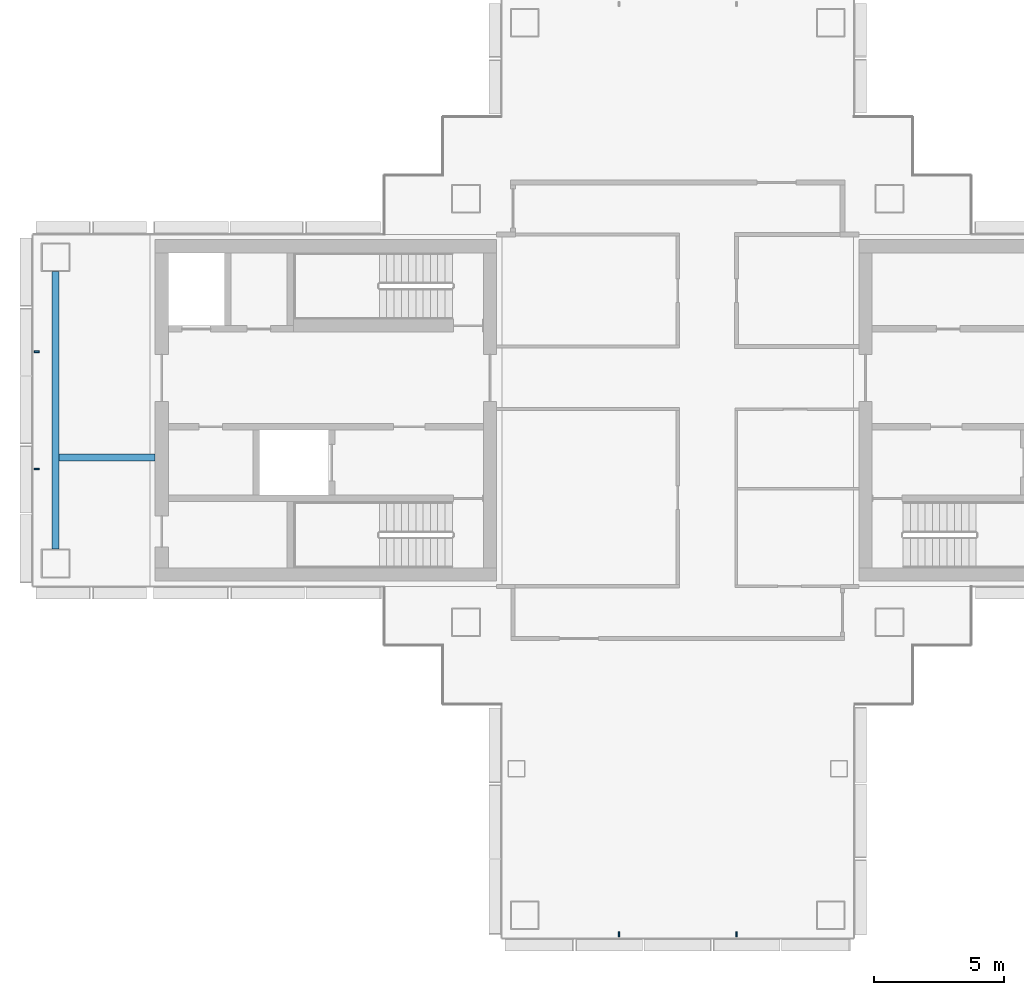
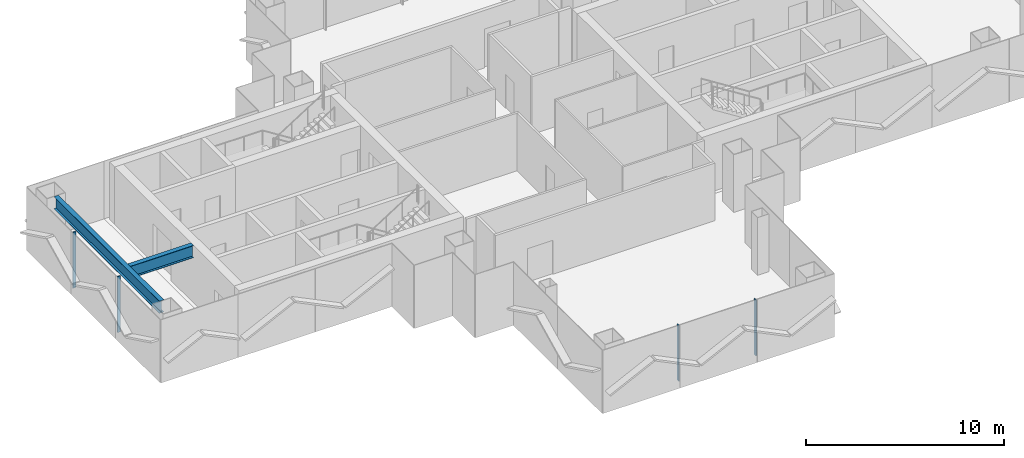
# One storey, part 3 of 16: 4 members, 2 beams, 2 elements without a shape of their own.
"""IFC4 building model written with IfcOpenShell, lengths in metres."""

from ifc_helpers import new_model, si_unit, direction, frame, origin, origin_2d, place, context, subcontext, project, spatial, rectangle, i_section, extrude, material, layer, layer_set, material_profile, profile_set, type_object, element, aggregate, save


model = new_model("IFC4")

# Units and contexts
model_context = context("Model", 3, precision=1e-05, world=origin(), true_north=direction((0.0, 1.0)))
body_context = subcontext(model_context, "Body", "Model", "MODEL_VIEW")
ifc_project = project(units=[si_unit("LENGTHUNIT", "METRE"), si_unit("AREAUNIT", "SQUARE_METRE"), si_unit("VOLUMEUNIT", "CUBIC_METRE"), si_unit("PLANEANGLEUNIT", "RADIAN"), si_unit("MASSUNIT", "GRAM", prefix="KILO")], contexts=[model_context])

# Site, building, storey
site_placement = place(None, origin())
site = spatial("IfcSite", under=ifc_project, at=site_placement, CompositionType="ELEMENT")
building_placement = place(site_placement, origin())
building = spatial("IfcBuilding", under=site, at=building_placement, Name="Shamsa Quay Exchange Towers", CompositionType="ELEMENT")
storey_placement = place(building_placement, frame((0.0, 0.0, 146.699951171875)))
storey = spatial("IfcBuildingStorey", under=building, at=storey_placement, Name="L34", CompositionType="ELEMENT", Elevation=146.699951171875)

# Curtain wall, members
ifc_material_1 = material(Name="Aluminium EN AW-6063 T6, black anodised", Category="aluminium")
ifc_layer = layer(ifc_material_1, 0.280029296875)
ifc_layer_set = layer_set([ifc_layer], Name="CW-1 UNITISED VISION GLASS")
curtain_wall_type = type_object("IfcCurtainWallType", Name="CW-1 UNITISED VISION GLASS", PredefinedType="NOTDEFINED", material=ifc_layer_set)
curtain_wall_1_placement = place(storey_placement, origin())
curtain_wall_1 = element("IfcCurtainWall", 1, at=curtain_wall_1_placement, inside=storey, type_object=curtain_wall_type, Name="CW1 T1-END-V- L34", PredefinedType="NOTDEFINED")
ifc_material_profile_1 = material_profile(ifc_material_1, rectangle(XDim=0.179931640625, YDim=0.06005859375, at=origin_2d()), Name="MU60x180")
ifc_profile_set_1 = profile_set([ifc_material_profile_1], Name="Aluminium EN AW-6063 T6, black anodised")
member_type = type_object("IfcMemberType", Name="CW1 MULLION 60x180", PredefinedType="MULLION", material=ifc_profile_set_1)
member_1_placement = place(storey_placement, frame((-36.0, -20.10009765625, 0.0), z_axis=(0.0, 0.0, 1.0), x_axis=(0.0, 1.0, 0.0)))
member_1 = element("IfcMember", 2, at=member_1_placement, type_object=member_type, Name="CW1 mullion", PredefinedType="MULLION", context=body_context, shape_type="SweptSolid", body=[
    extrude(rectangle(XDim=0.179931640625, YDim=0.06005859375, at=origin_2d()), origin(), (0.0, 0.0, 1.0), 3.449951171875),
])
member_2_placement = place(storey_placement, frame((-31.5, -20.10009765625, 0.0), z_axis=(0.0, 0.0, 1.0), x_axis=(0.0, 1.0, 0.0)))
member_2 = element("IfcMember", 3, at=member_2_placement, type_object=member_type, Name="CW1 mullion", PredefinedType="MULLION", context=body_context, shape_type="SweptSolid", body=[
    extrude(rectangle(XDim=0.179931640625, YDim=0.06005859375, at=origin_2d()), origin(), (0.0, 0.0, 1.0), 3.449951171875),
])
aggregate(curtain_wall_1, [member_1, member_2])

curtain_wall_2_placement = place(storey_placement, origin())
curtain_wall_2 = element("IfcCurtainWall", 4, at=curtain_wall_2_placement, inside=storey, type_object=curtain_wall_type, Name="CW1 T1-END-U- L34", PredefinedType="NOTDEFINED")
member_3_placement = place(storey_placement, frame((-58.35009765625, 2.25, 0.0)))
member_3 = element("IfcMember", 5, at=member_3_placement, type_object=member_type, Name="CW1 mullion", PredefinedType="MULLION", context=body_context, shape_type="SweptSolid", body=[
    extrude(rectangle(XDim=0.179931640625, YDim=0.06005859375, at=origin_2d()), origin(), (0.0, 0.0, 1.0), 3.449951171875),
])
member_4_placement = place(storey_placement, frame((-58.35009765625, -2.25, 0.0)))
member_4 = element("IfcMember", 6, at=member_4_placement, type_object=member_type, Name="CW1 mullion", PredefinedType="MULLION", context=body_context, shape_type="SweptSolid", body=[
    extrude(rectangle(XDim=0.179931640625, YDim=0.06005859375, at=origin_2d()), origin(), (0.0, 0.0, 1.0), 3.449951171875),
])
aggregate(curtain_wall_2, [member_3, member_4])

# Beams
ifc_material_2 = material(Name="Steel S355", Category="steel")
ifc_material_profile_2 = material_profile(ifc_material_2, i_section(OverallWidth=0.26611328125, OverallDepth=0.7578125, WebThickness=0.013916015625, FlangeThickness=0.019287109375, at=origin_2d()), Name="W30x108")
ifc_profile_set_2 = profile_set([ifc_material_profile_2], Name="Steel S355")
beam_type = type_object("IfcBeamType", Name="End-zone beam W30x108", PredefinedType="BEAM", material=ifc_profile_set_2)
beam_1_placement = place(storey_placement, frame((-57.625, -5.324951171875, 3.171142578125), z_axis=(0.0, 1.0, 0.0), x_axis=(-1.0, 0.0, 0.0)))
element("IfcBeam", 7, at=beam_1_placement, inside=storey, type_object=beam_type, Name="End beam T1 U- end zone L34", PredefinedType="BEAM", context=body_context, shape_type="SweptSolid", body=[
    extrude(i_section(OverallWidth=0.26611328125, OverallDepth=0.7578125, WebThickness=0.013916015625, FlangeThickness=0.019287109375, at=origin_2d()), origin(), (0.0, 0.0, 1.0), 10.64990234375),
])
beam_2_placement = place(storey_placement, frame((-53.800048828125, -1.800048828125, 3.171142578125), z_axis=(-1.0, 0.0, 0.0), x_axis=(0.0, -1.0, 0.0)))
element("IfcBeam", 8, at=beam_2_placement, inside=storey, type_object=beam_type, Name="Spine beam T1 U- end zone L34", PredefinedType="BEAM", context=body_context, shape_type="SweptSolid", body=[
    extrude(i_section(OverallWidth=0.26611328125, OverallDepth=0.7578125, WebThickness=0.013916015625, FlangeThickness=0.019287109375, at=origin_2d()), origin(), (0.0, 0.0, 1.0), 3.69189453125),
])

save(model, "model.ifc")
